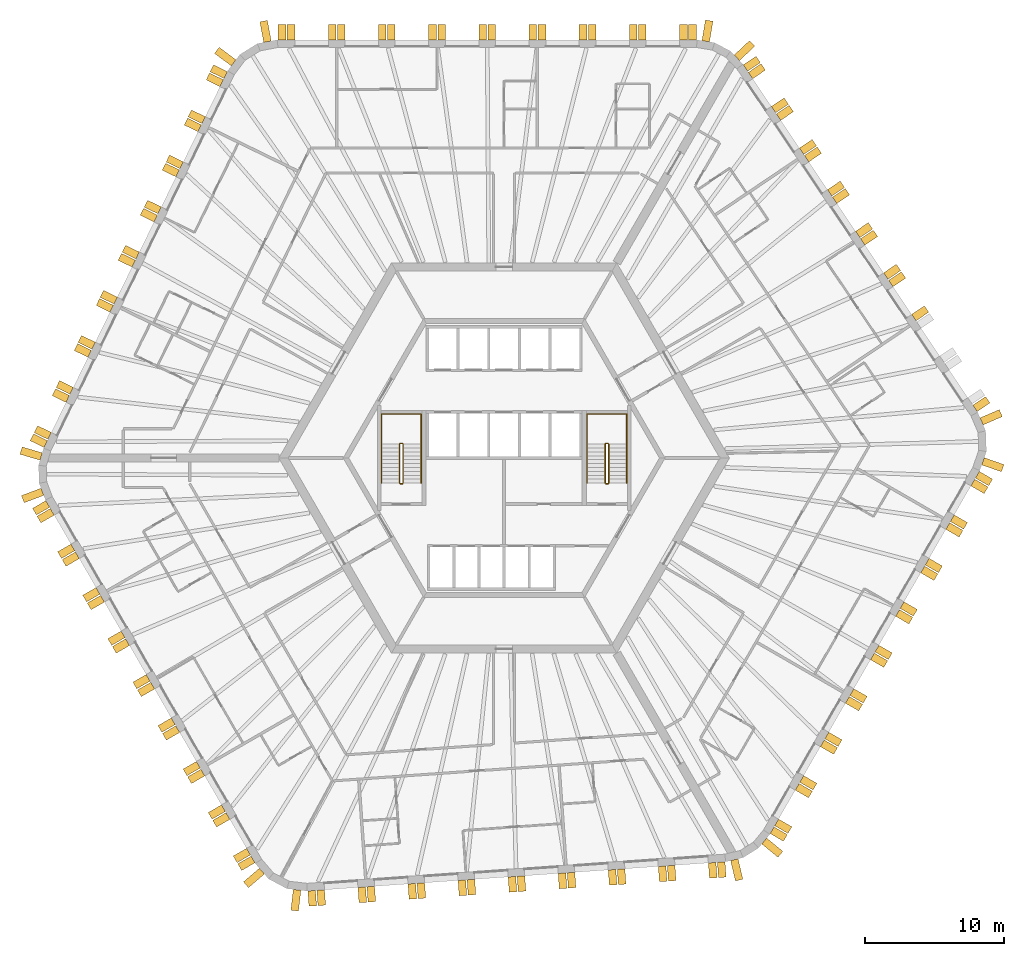
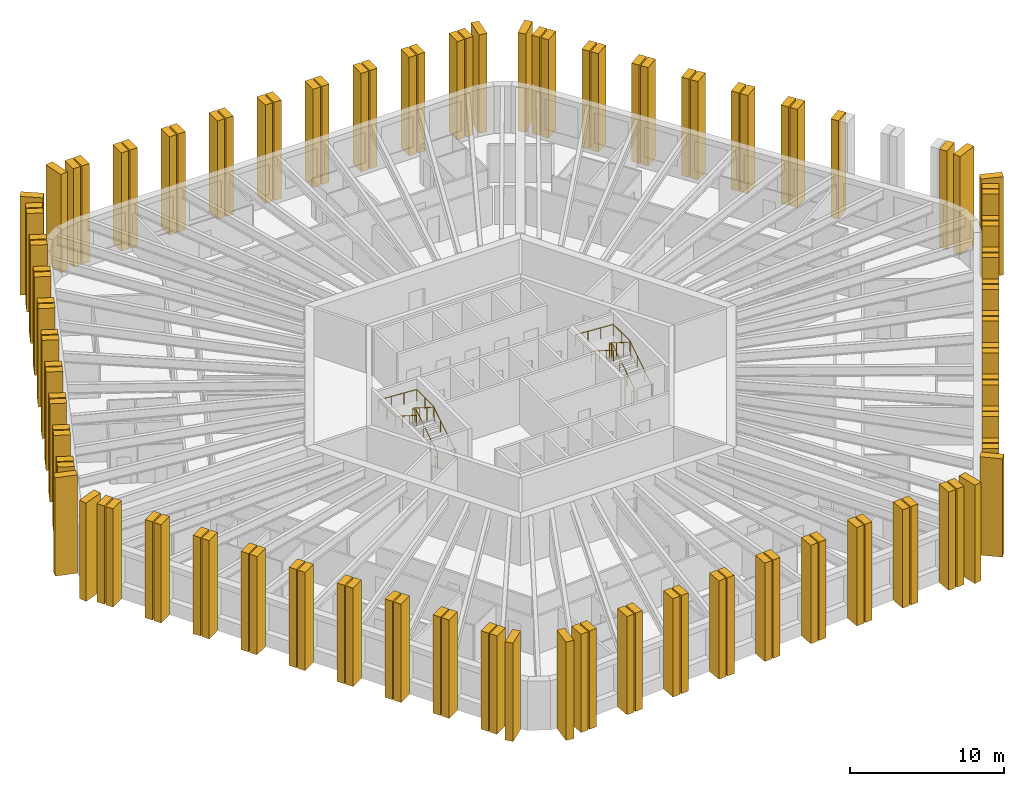
# One storey, part 12 of 13: 116 shading devices, 4 railings.
"""IFC4 building model written with IfcOpenShell, lengths in metres."""

import ifcopenshell
import ifcopenshell.guid

model = None  # the IFC model being written
_history = None  # IfcOwnerHistory: only IFC2X3 demands one
_inside = {}  # id of a spatial element -> (the spatial element, [elements in it])
_under = {}  # id of a project, library or spatial element -> (it, [spatial elements below it])
_declared = {}  # id of a project -> (the project, [libraries it declares])
_typed = {}  # id of a type object -> (the type object, [elements of that type])
_made_of = {}  # id of a material, layer set ... -> (it, [elements and type objects made of it])


def new_model(schema):
    """Start an empty IFC model of exactly this schema.

    Asked for "IFC4X3", IfcOpenShell would pick the latest addendum, in which some entities
    have other attributes; the version numbers below select the first issue.
    IFC2X3 requires an IfcOwnerHistory on every rooted entity: one is made here for all.
    """
    global model, _history
    if schema == "IFC4X3":
        model = ifcopenshell.file(schema_version=(4, 3, 0, 0))
    else:
        model = ifcopenshell.file(schema=schema)
    _inside.clear()
    _under.clear()
    _declared.clear()
    _typed.clear()
    _made_of.clear()
    _history = None
    if model.schema == "IFC2X3":
        org = make("IfcOrganization", Name="unknown")
        user = make(
            "IfcPersonAndOrganization",
            ThePerson=make("IfcPerson", FamilyName="unknown"),
            TheOrganization=org,
        )
        app = make(
            "IfcApplication",
            ApplicationDeveloper=org,
            Version="unknown",
            ApplicationFullName="unknown",
            ApplicationIdentifier="unknown",
        )
        _history = make(
            "IfcOwnerHistory",
            OwningUser=user,
            OwningApplication=app,
            ChangeAction="ADDED",
            CreationDate=0,
        )
    return model


def make(cls, **values):
    """One entity of the class cls with the attributes given. An attribute that is None is left unset."""
    return model.create_entity(
        cls, **{name: value for name, value in values.items() if value is not None}
    )


def rooted(cls, **values):
    """An entity with a GlobalId (a new one), such as an element, a storey or a relation."""
    return make(cls, GlobalId=ifcopenshell.guid.new(), OwnerHistory=_history, **values)


def si_unit(unit_type, name, prefix=None):
    """IfcSIUnit, for example si_unit("LENGTHUNIT", "METRE", prefix="MILLI")."""
    return make("IfcSIUnit", UnitType=unit_type, Prefix=prefix, Name=name)


def assignment(units):
    """IfcUnitAssignment: the units of a project."""
    return None if units is None else make("IfcUnitAssignment", Units=units)


def point(xyz):
    """IfcCartesianPoint."""
    return None if xyz is None else make("IfcCartesianPoint", Coordinates=xyz)


def direction(xyz):
    """IfcDirection."""
    return None if xyz is None else make("IfcDirection", DirectionRatios=xyz)


def frame(location, z_axis=None, x_axis=None):
    """IfcAxis2Placement3D, a coordinate frame: its origin and axes. An axis left out is left unset."""
    return make(
        "IfcAxis2Placement3D",
        Location=point(location),
        Axis=direction(z_axis),
        RefDirection=direction(x_axis),
    )


def frame_2d(location, x_axis=None):
    """IfcAxis2Placement2D, a coordinate frame in the plane: its origin and x axis."""
    return make(
        "IfcAxis2Placement2D", Location=point(location), RefDirection=direction(x_axis)
    )


def origin():
    """The frame at (0, 0, 0) with its axes left unset."""
    return frame((0.0, 0.0, 0.0))


def origin_2d():
    """The frame at (0, 0) in the plane with its x axis left unset."""
    return frame_2d((0.0, 0.0))


def place(relative_to, where):
    """IfcLocalPlacement: puts the frame where relative to a parent placement (None: the world)."""
    return make(
        "IfcLocalPlacement", PlacementRelTo=relative_to, RelativePlacement=where
    )


def context(
    kind, dimensions, precision=None, world=None, true_north=None, identifier=None
):
    """IfcGeometricRepresentationContext, for example the 3D "Model" context."""
    return make(
        "IfcGeometricRepresentationContext",
        ContextIdentifier=identifier,
        ContextType=kind,
        CoordinateSpaceDimension=dimensions,
        Precision=precision,
        WorldCoordinateSystem=world,
        TrueNorth=true_north,
    )


def subcontext(parent, identifier, kind, view, scale=None):
    """IfcGeometricRepresentationSubContext, for example "Body" below "Model"."""
    return make(
        "IfcGeometricRepresentationSubContext",
        ContextIdentifier=identifier,
        ContextType=kind,
        ParentContext=parent,
        TargetScale=scale,
        TargetView=view,
    )


def project(units=None, contexts=None):
    """IfcProject with its units and contexts."""
    return rooted(
        "IfcProject",
        Name="project",
        RepresentationContexts=contexts,
        UnitsInContext=assignment(units),
    )


def spatial(cls, under=None, at=None, **own):
    """A site, building, storey or space (cls), placed at a placement, below another one or the project."""
    s = rooted(cls, ObjectPlacement=at, **own)
    if under is not None:
        _under.setdefault(under.id(), (under, []))[1].append(s)
    return s


def polyline(points):
    """IfcPolyline through the points."""
    return make("IfcPolyline", Points=[point(p) for p in points])


def profile(cls, at=None, kind="AREA", **sizes):
    """A parametric profile (cls). Its sizes go by their IFC names, for example OverallWidth=200.0."""
    return make(cls, ProfileType=kind, Position=at, **sizes)


def circle(**sizes):
    """IfcCircleProfileDef."""
    return profile("IfcCircleProfileDef", **sizes)


def outline(outer, holes=None, kind="AREA"):
    """IfcArbitraryClosedProfileDef: a profile drawn as a closed curve; with holes, ...WithVoids."""
    if holes is None:
        return make("IfcArbitraryClosedProfileDef", ProfileType=kind, OuterCurve=outer)
    return make(
        "IfcArbitraryProfileDefWithVoids",
        ProfileType=kind,
        OuterCurve=outer,
        InnerCurves=holes,
    )


def extrude(swept, where, along, depth):
    """IfcExtrudedAreaSolid: the profile swept, set in the frame where, extruded along a direction by depth."""
    return make(
        "IfcExtrudedAreaSolid",
        SweptArea=swept,
        Position=where,
        ExtrudedDirection=direction(along),
        Depth=depth,
    )


def shape(context_of_items, identifier, shape_type, items):
    """IfcShapeRepresentation: the items that make up one representation, for example the "Body"."""
    return make(
        "IfcShapeRepresentation",
        ContextOfItems=context_of_items,
        RepresentationIdentifier=identifier,
        RepresentationType=shape_type,
        Items=items,
    )


def material(Name=None, Category=None):
    """IfcMaterial."""
    return make("IfcMaterial", Name=Name, Category=Category)


def layer(
    of_material, thickness, ventilated=None, Name=None, Category=None, Priority=None
):
    """IfcMaterialLayer: one layer of a wall or slab, of a material (None: an air gap)."""
    return make(
        "IfcMaterialLayer",
        Material=of_material,
        LayerThickness=thickness,
        IsVentilated=ventilated,
        Name=Name,
        Category=Category,
        Priority=Priority,
    )


def layer_set(layers, Name=None):
    """IfcMaterialLayerSet."""
    return make("IfcMaterialLayerSet", MaterialLayers=layers, LayerSetName=Name)


def made_of(thing, what):
    """Note that an element or type object is made of a material, layer set ...; save() writes the relation."""
    if what is not None:
        _made_of.setdefault(what.id(), (what, []))[1].append(thing)
    return thing


def type_object(cls, material=None, **own):
    """A type object (cls), such as IfcWallType, which elements share."""
    return made_of(rooted(cls, **own), material)


def element(
    cls,
    number,
    at=None,
    inside=None,
    cuts=None,
    type_object=None,
    material=None,
    context=None,
    identifier="Body",
    shape_type=None,
    held_by="IfcProductDefinitionShape",
    body=None,
    shapes=None,
    **own,
):
    """One element of the class cls, such as IfcWall. Its Tag is "e" and its number.

    at: its placement. inside: the storey or other place that contains it. cuts: it is an
    opening in that element (IfcRelVoidsElement). A single representation is given by context,
    identifier, shape_type and body (its items); several are given by shapes. held_by: the class
    of the entity that holds the representations. save() writes the other relations.
    """
    e = rooted(cls, Tag="e%d" % number, ObjectPlacement=at, **own)
    if body is not None:
        shapes = [shape(context, identifier, shape_type, body)]
    if shapes is not None:
        e.Representation = make(held_by, Representations=shapes)
    if inside is not None:
        _inside.setdefault(inside.id(), (inside, []))[1].append(e)
    if cuts is not None:
        rooted(
            "IfcRelVoidsElement", RelatingBuildingElement=cuts, RelatedOpeningElement=e
        )
    if type_object is not None:
        _typed.setdefault(type_object.id(), (type_object, []))[1].append(e)
    return made_of(e, material)


def aggregate(whole, parts):
    """IfcRelAggregates: a whole, such as a stair, and the parts it consists of."""
    return rooted("IfcRelAggregates", RelatingObject=whole, RelatedObjects=parts)


def save(model, path):
    """Write the relations noted so far, then the file.

    IfcRelAggregates (storeys below a building ...), IfcRelContainedInSpatialStructure (elements
    in a storey), IfcRelDefinesByType, IfcRelAssociatesMaterial and IfcRelDeclares: one each for
    every whole, place, type object, material and project.
    """
    for whole, parts in _under.values():
        aggregate(whole, parts)
    for where, things in _inside.values():
        rooted(
            "IfcRelContainedInSpatialStructure",
            RelatedElements=things,
            RelatingStructure=where,
        )
    for kind, things in _typed.values():
        rooted("IfcRelDefinesByType", RelatedObjects=things, RelatingType=kind)
    for what, things in _made_of.values():
        rooted("IfcRelAssociatesMaterial", RelatedObjects=things, RelatingMaterial=what)
    for by, libraries in _declared.values():
        rooted("IfcRelDeclares", RelatingContext=by, RelatedDefinitions=libraries)
    model.write(path)


model = new_model("IFC4")

# Units and contexts
model_context = context("Model", 3, precision=1e-05, world=origin(), true_north=direction((0.0, 1.0)))
body_context = subcontext(model_context, "Body", "Model", "MODEL_VIEW")
ifc_project = project(units=[si_unit("LENGTHUNIT", "METRE"), si_unit("AREAUNIT", "SQUARE_METRE"), si_unit("VOLUMEUNIT", "CUBIC_METRE"), si_unit("PLANEANGLEUNIT", "RADIAN"), si_unit("MASSUNIT", "GRAM", prefix="KILO")], contexts=[model_context])

# Site, building, storey
site_placement = place(None, origin())
site = spatial("IfcSite", under=ifc_project, at=site_placement, CompositionType="ELEMENT")
building_placement = place(site_placement, origin())
building = spatial("IfcBuilding", under=site, at=building_placement, Name="Tarnside Tower", CompositionType="ELEMENT")
storey_placement = place(building_placement, frame((0.0, 0.0, 92.10009765625)))
storey = spatial("IfcBuildingStorey", under=building, at=storey_placement, Name="L20", CompositionType="ELEMENT", Elevation=92.10009765625)

# Shading devices
ifc_material_1 = material(Name="Concrete C50/60 white precast", Category="concrete")
ifc_layer_1 = layer(ifc_material_1, 0.550048828125)
ifc_layer_set_1 = layer_set([ifc_layer_1], Name="Precast fin 550 x 1100")
shading_device_type_1 = type_object("IfcShadingDeviceType", Name="Precast fin 550 x 1100", PredefinedType="USERDEFINED", material=ifc_layer_set_1)
for number, where, z_axis, x_axis, name in (
    (1, (13.513916015625, 30.0, -0.150146484375), (1.0, 0.0, 0.0), (0.0, 1.0, 0.0), "Precast fin"),
    (2, (12.864013671875, 30.0, -0.150146484375), (1.0, 0.0, 0.0), (0.0, 1.0, 0.0), "Precast fin"),
    (3, (9.9140625, 30.0, -0.150146484375), (1.0, 0.0, 0.0), (0.0, 1.0, 0.0), "Precast fin"),
    (4, (9.263916015625, 30.0, -0.150146484375), (1.0, 0.0, 0.0), (0.0, 1.0, 0.0), "Precast fin"),
    (5, (6.31396484375, 30.0, -0.150146484375), (1.0, 0.0, 0.0), (0.0, 1.0, 0.0), "Precast fin"),
    (6, (5.6640625, 30.0, -0.150146484375), (1.0, 0.0, 0.0), (0.0, 1.0, 0.0), "Precast fin"),
    (7, (2.7138671875, 30.0, -0.150146484375), (1.0, 0.0, 0.0), (0.0, 1.0, 0.0), "Precast fin"),
    (8, (2.06396484375, 30.0, -0.150146484375), (1.0, 0.0, 0.0), (0.0, 1.0, 0.0), "Precast fin"),
    (9, (-0.885986328125, 30.0, -0.150146484375), (1.0, 0.0, 0.0), (0.0, 1.0, 0.0), "Precast fin"),
    (10, (-1.5361328125, 30.0, -0.150146484375), (1.0, 0.0, 0.0), (0.0, 1.0, 0.0), "Precast fin"),
    (11, (-4.486083984375, 30.0, -0.150146484375), (1.0, 0.0, 0.0), (0.0, 1.0, 0.0), "Precast fin"),
    (12, (-5.135986328125, 30.0, -0.150146484375), (1.0, 0.0, 0.0), (0.0, 1.0, 0.0), "Precast fin"),
    (13, (-8.0859375, 30.0, -0.150146484375), (1.0, 0.0, 0.0), (0.0, 1.0, 0.0), "Precast fin"),
    (14, (-8.736083984375, 30.0, -0.150146484375), (1.0, 0.0, 0.0), (0.0, 1.0, 0.0), "Precast fin"),
    (15, (-11.68603515625, 30.0, -0.150146484375), (1.0, 0.0, 0.0), (0.0, 1.0, 0.0), "Precast fin"),
    (16, (-12.3359375, 30.0, -0.150146484375), (1.0, 0.0, 0.0), (0.0, 1.0, 0.0), "Precast fin"),
    (17, (-15.2861328125, 30.0, -0.150146484375), (1.0, 0.0, 0.0), (0.0, 1.0, 0.0), "Precast fin"),
    (18, (-15.93603515625, 30.0, -0.150146484375), (1.0, 0.0, 0.0), (0.0, 1.0, 0.0), "Precast fin"),
    (19, (-19.977783203125, 27.474365234375, -0.150146484375), (0.438371146789, 0.898794046299, 0.0), (-0.898794046299, 0.438371146789, 0.0), "Precast fin"),
    (20, (-20.262939453125, 26.89013671875, -0.150146484375), (0.438371146789, 0.898794046299, 0.0), (-0.898794046299, 0.438371146789, 0.0), "Precast fin"),
    (21, (-21.555908203125, 24.23876953125, -0.150146484375), (0.438371146789, 0.898794046299, 0.0), (-0.898794046299, 0.438371146789, 0.0), "Precast fin"),
    (22, (-21.841064453125, 23.654541015625, -0.150146484375), (0.438371146789, 0.898794046299, 0.0), (-0.898794046299, 0.438371146789, 0.0), "Precast fin"),
    (23, (-23.13427734375, 21.003173828125, -0.150146484375), (0.438371146789, 0.898794046299, 0.0), (-0.898794046299, 0.438371146789, 0.0), "Precast fin"),
    (24, (-23.419189453125, 20.4189453125, -0.150146484375), (0.438371146789, 0.898794046299, 0.0), (-0.898794046299, 0.438371146789, 0.0), "Precast fin"),
    (25, (-24.71240234375, 17.767333984375, -0.150146484375), (0.438371146789, 0.898794046299, 0.0), (-0.898794046299, 0.438371146789, 0.0), "Precast fin"),
    (26, (-24.997314453125, 17.18310546875, -0.150146484375), (0.438371146789, 0.898794046299, 0.0), (-0.898794046299, 0.438371146789, 0.0), "Precast fin"),
    (27, (-26.29052734375, 14.53173828125, -0.150146484375), (0.438371146789, 0.898794046299, 0.0), (-0.898794046299, 0.438371146789, 0.0), "Precast fin"),
    (28, (-26.575439453125, 13.947509765625, -0.150146484375), (0.438371146789, 0.898794046299, 0.0), (-0.898794046299, 0.438371146789, 0.0), "Precast fin"),
    (29, (-27.86865234375, 11.296142578125, -0.150146484375), (0.438371146789, 0.898794046299, 0.0), (-0.898794046299, 0.438371146789, 0.0), "Precast fin"),
    (30, (-28.153564453125, 10.7119140625, -0.150146484375), (0.438371146789, 0.898794046299, 0.0), (-0.898794046299, 0.438371146789, 0.0), "Precast fin"),
    (31, (-29.44677734375, 8.060546875, -0.150146484375), (0.438371146789, 0.898794046299, 0.0), (-0.898794046299, 0.438371146789, 0.0), "Precast fin"),
    (32, (-29.731689453125, 7.476318359375, -0.150146484375), (0.438371146789, 0.898794046299, 0.0), (-0.898794046299, 0.438371146789, 0.0), "Precast fin"),
    (33, (-31.02490234375, 4.82470703125, -0.150146484375), (0.438371146789, 0.898794046299, 0.0), (-0.898794046299, 0.438371146789, 0.0), "Precast fin"),
    (34, (-31.309814453125, 4.240478515625, -0.150146484375), (0.438371146789, 0.898794046299, 0.0), (-0.898794046299, 0.438371146789, 0.0), "Precast fin"),
    (35, (-32.60302734375, 1.589111328125, -0.150146484375), (0.438371146789, 0.898794046299, 0.0), (-0.898794046299, 0.438371146789, 0.0), "Precast fin"),
    (36, (-32.887939453125, 1.0048828125, -0.150146484375), (0.438371146789, 0.898794046299, 0.0), (-0.898794046299, 0.438371146789, 0.0), "Precast fin"),
    (37, (-32.73779296875, -3.296630859375, -0.150146484375), (-0.5, 0.866025403784, 0.0), (-0.866025403784, -0.5, 0.0), "Precast fin"),
    (38, (-32.412841796875, -3.859375, -0.150146484375), (-0.5, 0.866025403784, 0.0), (-0.866025403784, -0.5, 0.0), "Precast fin"),
    (39, (-30.937744140625, -6.414306640625, -0.150146484375), (-0.5, 0.866025403784, 0.0), (-0.866025403784, -0.5, 0.0), "Precast fin"),
    (40, (-30.61279296875, -6.977294921875, -0.150146484375), (-0.5, 0.866025403784, 0.0), (-0.866025403784, -0.5, 0.0), "Precast fin"),
    (41, (-29.1376953125, -9.531982421875, -0.150146484375), (-0.5, 0.866025403784, 0.0), (-0.866025403784, -0.5, 0.0), "Precast fin"),
    (42, (-28.812744140625, -10.094970703125, -0.150146484375), (-0.5, 0.866025403784, 0.0), (-0.866025403784, -0.5, 0.0), "Precast fin"),
    (43, (-27.337646484375, -12.649658203125, -0.150146484375), (-0.5, 0.866025403784, 0.0), (-0.866025403784, -0.5, 0.0), "Precast fin"),
    (44, (-27.0126953125, -13.212646484375, -0.150146484375), (-0.5, 0.866025403784, 0.0), (-0.866025403784, -0.5, 0.0), "Precast fin"),
    (45, (-25.537841796875, -15.767333984375, -0.150146484375), (-0.5, 0.866025403784, 0.0), (-0.866025403784, -0.5, 0.0), "Precast fin"),
    (46, (-25.212646484375, -16.330322265625, -0.150146484375), (-0.5, 0.866025403784, 0.0), (-0.866025403784, -0.5, 0.0), "Precast fin"),
    (47, (-23.73779296875, -18.885009765625, -0.150146484375), (-0.5, 0.866025403784, 0.0), (-0.866025403784, -0.5, 0.0), "Precast fin"),
    (48, (-23.412841796875, -19.447998046875, -0.150146484375), (-0.5, 0.866025403784, 0.0), (-0.866025403784, -0.5, 0.0), "Precast fin"),
    (49, (-21.937744140625, -22.002685546875, -0.150146484375), (-0.5, 0.866025403784, 0.0), (-0.866025403784, -0.5, 0.0), "Precast fin"),
    (50, (-21.61279296875, -22.565673828125, -0.150146484375), (-0.5, 0.866025403784, 0.0), (-0.866025403784, -0.5, 0.0), "Precast fin"),
    (51, (-20.1376953125, -25.120361328125, -0.150146484375), (-0.5, 0.866025403784, 0.0), (-0.866025403784, -0.5, 0.0), "Precast fin"),
    (52, (-19.812744140625, -25.683349609375, -0.150146484375), (-0.5, 0.866025403784, 0.0), (-0.866025403784, -0.5, 0.0), "Precast fin"),
    (53, (-18.337646484375, -28.238037109375, -0.150146484375), (-0.5, 0.866025403784, 0.0), (-0.866025403784, -0.5, 0.0), "Precast fin"),
    (54, (-18.0126953125, -28.801025390625, -0.150146484375), (-0.5, 0.866025403784, 0.0), (-0.866025403784, -0.5, 0.0), "Precast fin"),
    (55, (-13.8046875, -31.03857421875, -0.150146484375), (-0.99756405026, -0.069756473744, 0.0), (0.069756473744, -0.99756405026, 0.0), "Precast fin"),
    (56, (-13.15625, -30.9931640625, -0.150146484375), (-0.99756405026, -0.069756473744, 0.0), (0.069756473744, -0.99756405026, 0.0), "Precast fin"),
    (57, (-10.21337890625, -30.787353515625, -0.150146484375), (-0.99756405026, -0.069756473744, 0.0), (0.069756473744, -0.99756405026, 0.0), "Precast fin"),
    (58, (-9.56494140625, -30.7421875, -0.150146484375), (-0.99756405026, -0.069756473744, 0.0), (0.069756473744, -0.99756405026, 0.0), "Precast fin"),
    (59, (-6.6220703125, -30.536376953125, -0.150146484375), (-0.99756405026, -0.069756473744, 0.0), (0.069756473744, -0.99756405026, 0.0), "Precast fin"),
    (60, (-5.9736328125, -30.490966796875, -0.150146484375), (-0.99756405026, -0.069756473744, 0.0), (0.069756473744, -0.99756405026, 0.0), "Precast fin"),
    (61, (-3.031005859375, -30.28515625, -0.150146484375), (-0.99756405026, -0.069756473744, 0.0), (0.069756473744, -0.99756405026, 0.0), "Precast fin"),
    (62, (-2.382568359375, -30.23974609375, -0.150146484375), (-0.99756405026, -0.069756473744, 0.0), (0.069756473744, -0.99756405026, 0.0), "Precast fin"),
    (63, (0.560302734375, -30.0341796875, -0.150146484375), (-0.99756405026, -0.069756473744, 0.0), (0.069756473744, -0.99756405026, 0.0), "Precast fin"),
    (64, (1.208740234375, -29.98876953125, -0.150146484375), (-0.99756405026, -0.069756473744, 0.0), (0.069756473744, -0.99756405026, 0.0), "Precast fin"),
    (65, (4.151611328125, -29.782958984375, -0.150146484375), (-0.99756405026, -0.069756473744, 0.0), (0.069756473744, -0.99756405026, 0.0), "Precast fin"),
    (66, (4.800048828125, -29.737548828125, -0.150146484375), (-0.99756405026, -0.069756473744, 0.0), (0.069756473744, -0.99756405026, 0.0), "Precast fin"),
    (67, (7.74267578125, -29.53173828125, -0.150146484375), (-0.99756405026, -0.069756473744, 0.0), (0.069756473744, -0.99756405026, 0.0), "Precast fin"),
    (68, (8.39111328125, -29.486572265625, -0.150146484375), (-0.99756405026, -0.069756473744, 0.0), (0.069756473744, -0.99756405026, 0.0), "Precast fin"),
    (69, (11.333984375, -29.28076171875, -0.150146484375), (-0.99756405026, -0.069756473744, 0.0), (0.069756473744, -0.99756405026, 0.0), "Precast fin"),
    (70, (11.982421875, -29.2353515625, -0.150146484375), (-0.99756405026, -0.069756473744, 0.0), (0.069756473744, -0.99756405026, 0.0), "Precast fin"),
    (71, (14.92529296875, -29.029541015625, -0.150146484375), (-0.99756405026, -0.069756473744, 0.0), (0.069756473744, -0.99756405026, 0.0), "Precast fin"),
    (72, (15.57373046875, -28.984130859375, -0.150146484375), (-0.99756405026, -0.069756473744, 0.0), (0.069756473744, -0.99756405026, 0.0), "Precast fin"),
    (73, (19.223876953125, -26.703369140625, -0.150146484375), (-0.5, -0.866025403784, 0.0), (0.866025403784, -0.5, 0.0), "Precast fin"),
    (74, (19.548828125, -26.140625, -0.150146484375), (-0.5, -0.866025403784, 0.0), (0.866025403784, -0.5, 0.0), "Precast fin"),
    (75, (21.023681640625, -23.585693359375, -0.150146484375), (-0.5, -0.866025403784, 0.0), (0.866025403784, -0.5, 0.0), "Precast fin"),
    (76, (21.348876953125, -23.022705078125, -0.150146484375), (-0.5, -0.866025403784, 0.0), (0.866025403784, -0.5, 0.0), "Precast fin"),
    (77, (22.82373046875, -20.468017578125, -0.150146484375), (-0.5, -0.866025403784, 0.0), (0.866025403784, -0.5, 0.0), "Precast fin"),
    (78, (23.148681640625, -19.905029296875, -0.150146484375), (-0.5, -0.866025403784, 0.0), (0.866025403784, -0.5, 0.0), "Precast fin"),
    (79, (24.623779296875, -17.350341796875, -0.150146484375), (-0.5, -0.866025403784, 0.0), (0.866025403784, -0.5, 0.0), "Precast fin"),
    (80, (24.94873046875, -16.787353515625, -0.150146484375), (-0.5, -0.866025403784, 0.0), (0.866025403784, -0.5, 0.0), "Precast fin"),
    (81, (26.423828125, -14.232666015625, -0.150146484375), (-0.5, -0.866025403784, 0.0), (0.866025403784, -0.5, 0.0), "Precast fin"),
    (82, (26.748779296875, -13.669677734375, -0.150146484375), (-0.5, -0.866025403784, 0.0), (0.866025403784, -0.5, 0.0), "Precast fin"),
    (83, (28.223876953125, -11.114990234375, -0.150146484375), (-0.5, -0.866025403784, 0.0), (0.866025403784, -0.5, 0.0), "Precast fin"),
    (84, (28.548828125, -10.552001953125, -0.150146484375), (-0.5, -0.866025403784, 0.0), (0.866025403784, -0.5, 0.0), "Precast fin"),
    (85, (30.023681640625, -7.997314453125, -0.150146484375), (-0.5, -0.866025403784, 0.0), (0.866025403784, -0.5, 0.0), "Precast fin"),
    (86, (30.348876953125, -7.434326171875, -0.150146484375), (-0.5, -0.866025403784, 0.0), (0.866025403784, -0.5, 0.0), "Precast fin"),
    (87, (31.82373046875, -4.879638671875, -0.150146484375), (-0.5, -0.866025403784, 0.0), (0.866025403784, -0.5, 0.0), "Precast fin"),
    (88, (32.148681640625, -4.316650390625, -0.150146484375), (-0.5, -0.866025403784, 0.0), (0.866025403784, -0.5, 0.0), "Precast fin"),
    (89, (33.623779296875, -1.761962890625, -0.150146484375), (-0.5, -0.866025403784, 0.0), (0.866025403784, -0.5, 0.0), "Precast fin"),
    (90, (33.94873046875, -1.198974609375, -0.150146484375), (-0.5, -0.866025403784, 0.0), (0.866025403784, -0.5, 0.0), "Precast fin"),
    (91, (33.782470703125, 3.564208984375, -0.150146484375), (0.559192903471, -0.829037572555, 0.0), (0.829037572555, 0.559192903471, 0.0), "Precast fin"),
    (92, (29.392822265625, 10.072021484375, -0.150146484375), (0.559192903471, -0.829037572555, 0.0), (0.829037572555, 0.559192903471, 0.0), "Precast fin"),
    (93, (27.7431640625, 12.517822265625, -0.150146484375), (0.559192903471, -0.829037572555, 0.0), (0.829037572555, 0.559192903471, 0.0), "Precast fin"),
    (94, (27.379638671875, 13.056640625, -0.150146484375), (0.559192903471, -0.829037572555, 0.0), (0.829037572555, 0.559192903471, 0.0), "Precast fin"),
    (95, (25.730224609375, 15.502197265625, -0.150146484375), (0.559192903471, -0.829037572555, 0.0), (0.829037572555, 0.559192903471, 0.0), "Precast fin"),
    (96, (25.36669921875, 16.041259765625, -0.150146484375), (0.559192903471, -0.829037572555, 0.0), (0.829037572555, 0.559192903471, 0.0), "Precast fin"),
    (97, (23.717041015625, 18.48681640625, -0.150146484375), (0.559192903471, -0.829037572555, 0.0), (0.829037572555, 0.559192903471, 0.0), "Precast fin"),
    (98, (23.353515625, 19.025634765625, -0.150146484375), (0.559192903471, -0.829037572555, 0.0), (0.829037572555, 0.559192903471, 0.0), "Precast fin"),
    (99, (21.703857421875, 21.471435546875, -0.150146484375), (0.559192903471, -0.829037572555, 0.0), (0.829037572555, 0.559192903471, 0.0), "Precast fin"),
    (100, (21.34033203125, 22.01025390625, -0.150146484375), (0.559192903471, -0.829037572555, 0.0), (0.829037572555, 0.559192903471, 0.0), "Precast fin"),
    (101, (19.69091796875, 24.455810546875, -0.150146484375), (0.559192903471, -0.829037572555, 0.0), (0.829037572555, 0.559192903471, 0.0), "Precast fin"),
    (102, (19.327392578125, 24.994873046875, -0.150146484375), (0.559192903471, -0.829037572555, 0.0), (0.829037572555, 0.559192903471, 0.0), "Precast fin"),
    (103, (17.677734375, 27.4404296875, -0.150146484375), (0.559192903471, -0.829037572555, 0.0), (0.829037572555, 0.559192903471, 0.0), "Precast fin"),
    (104, (17.314208984375, 27.979248046875, -0.150146484375), (0.559192903471, -0.829037572555, 0.0), (0.829037572555, 0.559192903471, 0.0), "Precast fin"),
):
    element("IfcShadingDevice", number, at=place(storey_placement, frame(where, z_axis=z_axis, x_axis=x_axis)), inside=storey, type_object=shading_device_type_1, Name=name, ObjectType="FIN", PredefinedType="USERDEFINED", context=body_context, shape_type="SweptSolid", body=[
        extrude(outline(polyline([(0.0, 0.0), (1.10009765625, 0.0), (1.10009765625, 7.800048828125), (0.0, 7.800048828125), (0.0, 0.0)])), frame((0.0, 0.0, -0.27490234375)), (0.0, 0.0, 1.0), 0.550048828125),
    ])
ifc_layer_2 = layer(ifc_material_1, 0.550048828125)
ifc_layer_set_2 = layer_set([ifc_layer_2], Name="Precast fin 550 x 1500")
shading_device_type_2 = type_object("IfcShadingDeviceType", Name="Precast fin 550 x 1500", PredefinedType="USERDEFINED", material=ifc_layer_set_2)
for number, where, z_axis, x_axis, name in (
    (105, (-16.97509765625, 29.86767578125, -0.150146484375), (0.982720646705, 0.18509492305, 0.0), (-0.18509492305, 0.982720646705, 0.0), "Precast fin"),
    (106, (-19.403564453125, 28.35009765625, -0.150146484375), (0.597158591707, 0.802123192752, 0.0), (-0.802123192752, 0.597158591707, 0.0), "Precast fin"),
    (107, (-33.213623046875, 0.10546875, -0.150146484375), (0.286803232717, 0.957989512314, 0.0), (-0.957989512314, 0.286803232717, 0.0), "Precast fin"),
    (108, (-33.125244140625, -2.422119140625, -0.150146484375), (-0.352930564719, 0.935649515837, 0.0), (-0.935649515837, -0.352930564719, 0.0), "Precast fin"),
    (109, (-17.378662109375, -29.634765625, -0.150146484375), (-0.651657228826, 0.758513583345, 0.0), (-0.758513583345, -0.651657228826, 0.0), "Precast fin"),
    (110, (-14.850341796875, -30.97900390625, -0.150146484375), (-0.993238357741, 0.116092914131, 0.0), (-0.116092914131, -0.993238357741, 0.0), "Precast fin"),
    (111, (16.515625, -28.81640625, -0.150146484375), (-0.973044870581, -0.230615870737, 0.0), (0.230615870737, -0.973044870581, 0.0), "Precast fin"),
    (112, (18.66015625, -27.476318359375, -0.150146484375), (-0.633830967394, -0.773471592738, 0.0), (0.773471592738, -0.633830967394, 0.0), "Precast fin"),
    (113, (34.353759765625, -0.23291015625, -0.150146484375), (-0.331063417879, -0.943608506396, 0.0), (0.943608506396, -0.331063417879, 0.0), "Precast fin"),
    (114, (34.253662109375, 2.62890625, -0.150146484375), (0.396079766034, -0.918216106883, 0.0), (0.918216106883, 0.396079766034, 0.0), "Precast fin"),
    (115, (16.697998046875, 28.711181640625, -0.150146484375), (0.686241637865, -0.727373641577, 0.0), (0.727373641577, 0.686241637865, 0.0), "Precast fin"),
    (116, (14.465087890625, 29.8984375, -0.150146484375), (0.986761532114, -0.1621779231, 0.0), (0.1621779231, 0.986761532114, 0.0), "Precast fin"),
):
    element("IfcShadingDevice", number, at=place(storey_placement, frame(where, z_axis=z_axis, x_axis=x_axis)), inside=storey, type_object=shading_device_type_2, Name=name, ObjectType="FIN", PredefinedType="USERDEFINED", context=body_context, shape_type="SweptSolid", body=[
        extrude(outline(polyline([(0.0, 0.0), (1.5, 0.0), (1.5, 7.800048828125), (0.0, 7.800048828125), (0.0, 0.0)])), frame((0.0, 0.0, -0.27490234375)), (0.0, 0.0, 1.0), 0.550048828125),
    ])

# Railings
ifc_material_2 = material(Name="Stainless steel", Category="steel")
railing_type_1 = type_object("IfcRailingType", Name="Stair guard 1100", PredefinedType="GUARDRAIL", material=ifc_material_2)
railing_1_placement = place(storey_placement, frame((7.300048828125, -1.85009765625, 0.0)))
element("IfcRailing", 117, at=railing_1_placement, inside=storey, type_object=railing_type_1, Name="L20 ST1 stair guard 1", PredefinedType="GUARDRAIL", context=body_context, shape_type="SweptSolid", body=[
    extrude(circle(Radius=0.02392578125, at=origin_2d()), frame((0.0, 0.0, 1.076171875), z_axis=(1.0, 0.0, 0.0), x_axis=(0.0, 1.0, 0.0)), (0.0, 0.0, 1.0), 0.14990234375),
    extrude(circle(Radius=0.02392578125, at=origin_2d()), frame((0.14990234375, 0.0, 1.076171875), z_axis=(0.262233686654, 0.262233686654, 0.928691007369), x_axis=(-0.707106781187, 0.707106781187, 0.0)), (0.0, 0.0, 1.0), 0.19091796875),
    extrude(circle(Radius=0.02392578125, at=origin_2d()), frame((0.199951171875, 0.050048828125, 1.25341796875), z_axis=(0.0, 0.844908973607, 0.534910110503), x_axis=(-1.0, 0.0, 0.0)), (0.0, 0.0, 1.0), 3.31396484375),
    extrude(circle(Radius=0.02392578125, at=origin_2d()), frame((0.199951171875, 2.85009765625, 3.02587890625), z_axis=(-0.707106781187, 0.707106781187, 0.0), x_axis=(-0.707106781187, -0.707106781187, 0.0)), (0.0, 0.0, 1.0), 0.07080078125),
    extrude(circle(Radius=0.02392578125, at=origin_2d()), frame((0.14990234375, 2.900146484375, 3.02587890625), z_axis=(-1.0, 0.0, 0.0), x_axis=(0.0, -1.0, 0.0)), (0.0, 0.0, 1.0), 0.14990234375),
    extrude(circle(Radius=0.02392578125, at=origin_2d()), frame((0.0, 2.900146484375, 3.02587890625), z_axis=(-0.262233686654, -0.262233686654, 0.928691007369), x_axis=(0.707106781187, -0.707106781187, 0.0)), (0.0, 0.0, 1.0), 0.19091796875),
    extrude(circle(Radius=0.02392578125, at=origin_2d()), frame((-0.050048828125, 2.85009765625, 3.203125), z_axis=(0.0, -0.844908973607, 0.534910110503), x_axis=(1.0, 0.0, 0.0)), (0.0, 0.0, 1.0), 3.31396484375),
    extrude(circle(Radius=0.02099609375, at=origin_2d()), origin(), (0.0, 0.0, 1.0), 1.052001953125),
    extrude(circle(Radius=0.02099609375, at=origin_2d()), frame((0.14990234375, 0.0, 0.0)), (0.0, 0.0, 1.0), 1.052001953125),
    extrude(circle(Radius=0.02099609375, at=origin_2d()), frame((0.199951171875, 0.050048828125, 0.17724609375)), (0.0, 0.0, 1.0), 1.052001953125),
    extrude(circle(Radius=0.02099609375, at=origin_2d()), frame((0.199951171875, 0.9833984375, 0.76806640625)), (0.0, 0.0, 1.0), 1.052001953125),
    extrude(circle(Radius=0.02099609375, at=origin_2d()), frame((0.199951171875, 1.916748046875, 1.359130859375)), (0.0, 0.0, 1.0), 1.052001953125),
    extrude(circle(Radius=0.02099609375, at=origin_2d()), frame((0.199951171875, 2.85009765625, 1.949951171875)), (0.0, 0.0, 1.0), 1.052001953125),
    extrude(circle(Radius=0.02099609375, at=origin_2d()), frame((0.14990234375, 2.900146484375, 1.949951171875)), (0.0, 0.0, 1.0), 1.052001953125),
    extrude(circle(Radius=0.02099609375, at=origin_2d()), frame((0.0, 2.900146484375, 1.949951171875)), (0.0, 0.0, 1.0), 1.052001953125),
    extrude(circle(Radius=0.02099609375, at=origin_2d()), frame((-0.050048828125, 2.85009765625, 2.127197265625)), (0.0, 0.0, 1.0), 1.052001953125),
    extrude(circle(Radius=0.02099609375, at=origin_2d()), frame((-0.050048828125, 1.916748046875, 2.718017578125)), (0.0, 0.0, 1.0), 1.052001953125),
    extrude(circle(Radius=0.02099609375, at=origin_2d()), frame((-0.050048828125, 0.9833984375, 3.30908203125)), (0.0, 0.0, 1.0), 1.052001953125),
    extrude(circle(Radius=0.02099609375, at=origin_2d()), frame((-0.050048828125, 0.050048828125, 3.89990234375)), (0.0, 0.0, 1.0), 1.052001953125),
])
railing_2_placement = place(storey_placement, frame((-7.449951171875, -1.85009765625, 0.0)))
element("IfcRailing", 118, at=railing_2_placement, inside=storey, type_object=railing_type_1, Name="L20 ST2 stair guard 1", PredefinedType="GUARDRAIL", context=body_context, shape_type="SweptSolid", body=[
    extrude(circle(Radius=0.02392578125, at=origin_2d()), frame((0.0, 0.0, 1.076171875), z_axis=(1.0, 0.0, 0.0), x_axis=(0.0, 1.0, 0.0)), (0.0, 0.0, 1.0), 0.14990234375),
    extrude(circle(Radius=0.02392578125, at=origin_2d()), frame((0.14990234375, 0.0, 1.076171875), z_axis=(0.262233686654, 0.262233686654, 0.928691007369), x_axis=(-0.707106781187, 0.707106781187, 0.0)), (0.0, 0.0, 1.0), 0.19091796875),
    extrude(circle(Radius=0.02392578125, at=origin_2d()), frame((0.199951171875, 0.050048828125, 1.25341796875), z_axis=(0.0, 0.844908973607, 0.534910110503), x_axis=(-1.0, 0.0, 0.0)), (0.0, 0.0, 1.0), 3.31396484375),
    extrude(circle(Radius=0.02392578125, at=origin_2d()), frame((0.199951171875, 2.85009765625, 3.02587890625), z_axis=(-0.707106781187, 0.707106781187, 0.0), x_axis=(-0.707106781187, -0.707106781187, 0.0)), (0.0, 0.0, 1.0), 0.07080078125),
    extrude(circle(Radius=0.02392578125, at=origin_2d()), frame((0.14990234375, 2.900146484375, 3.02587890625), z_axis=(-1.0, 0.0, 0.0), x_axis=(0.0, -1.0, 0.0)), (0.0, 0.0, 1.0), 0.14990234375),
    extrude(circle(Radius=0.02392578125, at=origin_2d()), frame((0.0, 2.900146484375, 3.02587890625), z_axis=(-0.262233686654, -0.262233686654, 0.928691007369), x_axis=(0.707106781187, -0.707106781187, 0.0)), (0.0, 0.0, 1.0), 0.19091796875),
    extrude(circle(Radius=0.02392578125, at=origin_2d()), frame((-0.050048828125, 2.85009765625, 3.203125), z_axis=(0.0, -0.844908973607, 0.534910110503), x_axis=(1.0, 0.0, 0.0)), (0.0, 0.0, 1.0), 3.31396484375),
    extrude(circle(Radius=0.02099609375, at=origin_2d()), origin(), (0.0, 0.0, 1.0), 1.052001953125),
    extrude(circle(Radius=0.02099609375, at=origin_2d()), frame((0.14990234375, 0.0, 0.0)), (0.0, 0.0, 1.0), 1.052001953125),
    extrude(circle(Radius=0.02099609375, at=origin_2d()), frame((0.199951171875, 0.050048828125, 0.17724609375)), (0.0, 0.0, 1.0), 1.052001953125),
    extrude(circle(Radius=0.02099609375, at=origin_2d()), frame((0.199951171875, 0.9833984375, 0.76806640625)), (0.0, 0.0, 1.0), 1.052001953125),
    extrude(circle(Radius=0.02099609375, at=origin_2d()), frame((0.199951171875, 1.916748046875, 1.359130859375)), (0.0, 0.0, 1.0), 1.052001953125),
    extrude(circle(Radius=0.02099609375, at=origin_2d()), frame((0.199951171875, 2.85009765625, 1.949951171875)), (0.0, 0.0, 1.0), 1.052001953125),
    extrude(circle(Radius=0.02099609375, at=origin_2d()), frame((0.14990234375, 2.900146484375, 1.949951171875)), (0.0, 0.0, 1.0), 1.052001953125),
    extrude(circle(Radius=0.02099609375, at=origin_2d()), frame((0.0, 2.900146484375, 1.949951171875)), (0.0, 0.0, 1.0), 1.052001953125),
    extrude(circle(Radius=0.02099609375, at=origin_2d()), frame((-0.050048828125, 2.85009765625, 2.127197265625)), (0.0, 0.0, 1.0), 1.052001953125),
    extrude(circle(Radius=0.02099609375, at=origin_2d()), frame((-0.050048828125, 1.916748046875, 2.718017578125)), (0.0, 0.0, 1.0), 1.052001953125),
    extrude(circle(Radius=0.02099609375, at=origin_2d()), frame((-0.050048828125, 0.9833984375, 3.30908203125)), (0.0, 0.0, 1.0), 1.052001953125),
    extrude(circle(Radius=0.02099609375, at=origin_2d()), frame((-0.050048828125, 0.050048828125, 3.89990234375)), (0.0, 0.0, 1.0), 1.052001953125),
])
railing_type_2 = type_object("IfcRailingType", Name="Stair handrail 900", PredefinedType="HANDRAIL", material=ifc_material_2)
railing_3_placement = place(storey_placement, frame((8.800048828125, -1.800048828125, 0.17724609375)))
element("IfcRailing", 119, at=railing_3_placement, inside=storey, type_object=railing_type_2, Name="L20 ST1 stair handrail 1", PredefinedType="HANDRAIL", context=body_context, shape_type="SweptSolid", body=[
    extrude(circle(Radius=0.02392578125, at=origin_2d()), frame((0.0, 0.0, 0.8857421875), z_axis=(0.0, 0.844908973607, 0.534910110503), x_axis=(-1.0, 0.0, 0.0)), (0.0, 0.0, 1.0), 3.31396484375),
    extrude(circle(Radius=0.02392578125, at=origin_2d()), frame((0.0, 2.800048828125, 2.65869140625), z_axis=(0.0, 1.0, 0.0), x_axis=(-1.0, 0.0, 0.0)), (0.0, 0.0, 1.0), 2.14990234375),
    extrude(circle(Radius=0.02392578125, at=origin_2d()), frame((0.0, 4.949951171875, 2.65869140625), z_axis=(-0.998071825391, 0.0, 0.06206956872), x_axis=(0.0, -1.0, 0.0)), (0.0, 0.0, 1.0), 2.855712890625),
    extrude(circle(Radius=0.02392578125, at=origin_2d()), frame((-2.85009765625, 4.949951171875, 2.8359375), z_axis=(0.0, -1.0, 0.0), x_axis=(1.0, 0.0, 0.0)), (0.0, 0.0, 1.0), 2.14990234375),
    extrude(circle(Radius=0.02392578125, at=origin_2d()), frame((-2.85009765625, 2.800048828125, 2.8359375), z_axis=(0.0, -0.844908973607, 0.534910110503), x_axis=(1.0, 0.0, 0.0)), (0.0, 0.0, 1.0), 3.31396484375),
    extrude(circle(Radius=0.02099609375, at=origin_2d()), origin(), (0.0, 0.0, 1.0), 0.86181640625),
    extrude(circle(Radius=0.02099609375, at=origin_2d()), frame((0.0, 0.933349609375, 0.5908203125)), (0.0, 0.0, 1.0), 0.86181640625),
    extrude(circle(Radius=0.02099609375, at=origin_2d()), frame((0.0, 1.86669921875, 1.181884765625)), (0.0, 0.0, 1.0), 0.86181640625),
    extrude(circle(Radius=0.02099609375, at=origin_2d()), frame((0.0, 2.800048828125, 1.772705078125)), (0.0, 0.0, 1.0), 0.86181640625),
    extrude(circle(Radius=0.02099609375, at=origin_2d()), frame((0.0, 3.875, 1.772705078125)), (0.0, 0.0, 1.0), 0.86181640625),
    extrude(circle(Radius=0.02099609375, at=origin_2d()), frame((0.0, 4.949951171875, 1.772705078125)), (0.0, 0.0, 1.0), 0.86181640625),
    extrude(circle(Radius=0.02099609375, at=origin_2d()), frame((-0.949951171875, 4.949951171875, 1.831787109375)), (0.0, 0.0, 1.0), 0.86181640625),
    extrude(circle(Radius=0.02099609375, at=origin_2d()), frame((-1.900146484375, 4.949951171875, 1.890869140625)), (0.0, 0.0, 1.0), 0.86181640625),
    extrude(circle(Radius=0.02099609375, at=origin_2d()), frame((-2.85009765625, 4.949951171875, 1.949951171875)), (0.0, 0.0, 1.0), 0.86181640625),
    extrude(circle(Radius=0.02099609375, at=origin_2d()), frame((-2.85009765625, 3.875, 1.949951171875)), (0.0, 0.0, 1.0), 0.86181640625),
    extrude(circle(Radius=0.02099609375, at=origin_2d()), frame((-2.85009765625, 2.800048828125, 1.949951171875)), (0.0, 0.0, 1.0), 0.86181640625),
    extrude(circle(Radius=0.02099609375, at=origin_2d()), frame((-2.85009765625, 1.86669921875, 2.540771484375)), (0.0, 0.0, 1.0), 0.86181640625),
    extrude(circle(Radius=0.02099609375, at=origin_2d()), frame((-2.85009765625, 0.933349609375, 3.1318359375)), (0.0, 0.0, 1.0), 0.86181640625),
    extrude(circle(Radius=0.02099609375, at=origin_2d()), frame((-2.85009765625, 0.0, 3.72265625)), (0.0, 0.0, 1.0), 0.86181640625),
])
railing_4_placement = place(storey_placement, frame((-5.949951171875, -1.800048828125, 0.17724609375)))
element("IfcRailing", 120, at=railing_4_placement, inside=storey, type_object=railing_type_2, Name="L20 ST2 stair handrail 1", PredefinedType="HANDRAIL", context=body_context, shape_type="SweptSolid", body=[
    extrude(circle(Radius=0.02392578125, at=origin_2d()), frame((0.0, 0.0, 0.8857421875), z_axis=(0.0, 0.844908973607, 0.534910110503), x_axis=(-1.0, 0.0, 0.0)), (0.0, 0.0, 1.0), 3.31396484375),
    extrude(circle(Radius=0.02392578125, at=origin_2d()), frame((0.0, 2.800048828125, 2.65869140625), z_axis=(0.0, 1.0, 0.0), x_axis=(-1.0, 0.0, 0.0)), (0.0, 0.0, 1.0), 2.14990234375),
    extrude(circle(Radius=0.02392578125, at=origin_2d()), frame((0.0, 4.949951171875, 2.65869140625), z_axis=(-0.998071825391, 0.0, 0.06206956872), x_axis=(0.0, -1.0, 0.0)), (0.0, 0.0, 1.0), 2.855712890625),
    extrude(circle(Radius=0.02392578125, at=origin_2d()), frame((-2.85009765625, 4.949951171875, 2.8359375), z_axis=(0.0, -1.0, 0.0), x_axis=(1.0, 0.0, 0.0)), (0.0, 0.0, 1.0), 2.14990234375),
    extrude(circle(Radius=0.02392578125, at=origin_2d()), frame((-2.85009765625, 2.800048828125, 2.8359375), z_axis=(0.0, -0.844908973607, 0.534910110503), x_axis=(1.0, 0.0, 0.0)), (0.0, 0.0, 1.0), 3.31396484375),
    extrude(circle(Radius=0.02099609375, at=origin_2d()), origin(), (0.0, 0.0, 1.0), 0.86181640625),
    extrude(circle(Radius=0.02099609375, at=origin_2d()), frame((0.0, 0.933349609375, 0.5908203125)), (0.0, 0.0, 1.0), 0.86181640625),
    extrude(circle(Radius=0.02099609375, at=origin_2d()), frame((0.0, 1.86669921875, 1.181884765625)), (0.0, 0.0, 1.0), 0.86181640625),
    extrude(circle(Radius=0.02099609375, at=origin_2d()), frame((0.0, 2.800048828125, 1.772705078125)), (0.0, 0.0, 1.0), 0.86181640625),
    extrude(circle(Radius=0.02099609375, at=origin_2d()), frame((0.0, 3.875, 1.772705078125)), (0.0, 0.0, 1.0), 0.86181640625),
    extrude(circle(Radius=0.02099609375, at=origin_2d()), frame((0.0, 4.949951171875, 1.772705078125)), (0.0, 0.0, 1.0), 0.86181640625),
    extrude(circle(Radius=0.02099609375, at=origin_2d()), frame((-0.949951171875, 4.949951171875, 1.831787109375)), (0.0, 0.0, 1.0), 0.86181640625),
    extrude(circle(Radius=0.02099609375, at=origin_2d()), frame((-1.900146484375, 4.949951171875, 1.890869140625)), (0.0, 0.0, 1.0), 0.86181640625),
    extrude(circle(Radius=0.02099609375, at=origin_2d()), frame((-2.85009765625, 4.949951171875, 1.949951171875)), (0.0, 0.0, 1.0), 0.86181640625),
    extrude(circle(Radius=0.02099609375, at=origin_2d()), frame((-2.85009765625, 3.875, 1.949951171875)), (0.0, 0.0, 1.0), 0.86181640625),
    extrude(circle(Radius=0.02099609375, at=origin_2d()), frame((-2.85009765625, 2.800048828125, 1.949951171875)), (0.0, 0.0, 1.0), 0.86181640625),
    extrude(circle(Radius=0.02099609375, at=origin_2d()), frame((-2.85009765625, 1.86669921875, 2.540771484375)), (0.0, 0.0, 1.0), 0.86181640625),
    extrude(circle(Radius=0.02099609375, at=origin_2d()), frame((-2.85009765625, 0.933349609375, 3.1318359375)), (0.0, 0.0, 1.0), 0.86181640625),
    extrude(circle(Radius=0.02099609375, at=origin_2d()), frame((-2.85009765625, 0.0, 3.72265625)), (0.0, 0.0, 1.0), 0.86181640625),
])

save(model, "model.ifc")
